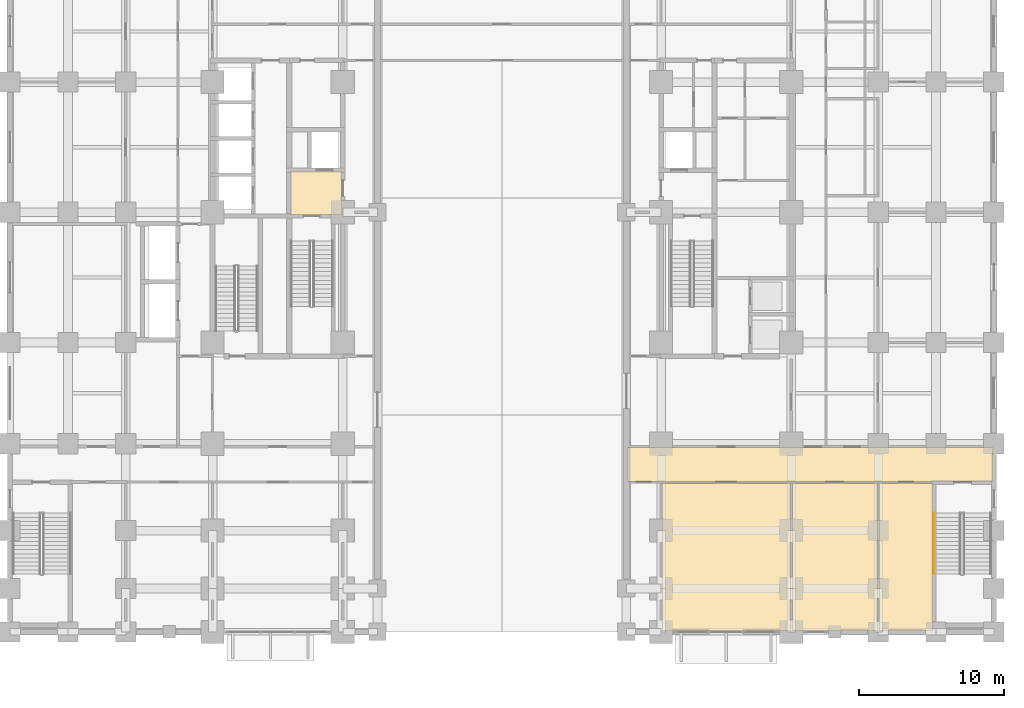
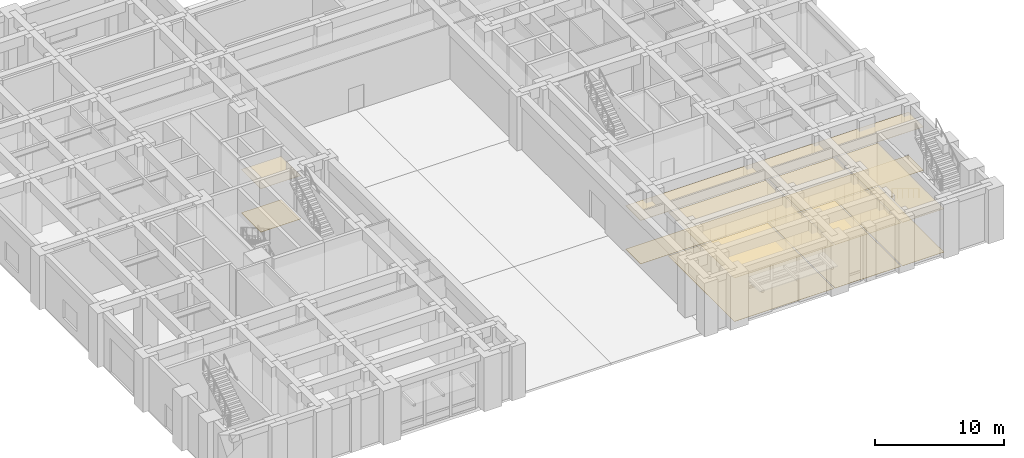
# One storey, part 15 of 20: 10 coverings, 1 railing.
"""IFC4 building model written with IfcOpenShell, lengths in metres."""

from ifc_helpers import new_model, si_unit, direction, frame, origin, origin_2d, place, context, subcontext, project, spatial, polyline, rectangle, outline, extrude, material, layer, layer_set, type_object, element, save


model = new_model("IFC4")

# Units and contexts
model_context = context("Model", 3, precision=1e-05, world=origin(), true_north=direction((0.0, 1.0)))
body_context = subcontext(model_context, "Body", "Model", "MODEL_VIEW")
ifc_project = project(units=[si_unit("LENGTHUNIT", "METRE"), si_unit("AREAUNIT", "SQUARE_METRE"), si_unit("VOLUMEUNIT", "CUBIC_METRE"), si_unit("PLANEANGLEUNIT", "RADIAN"), si_unit("MASSUNIT", "GRAM", prefix="KILO")], contexts=[model_context])

# Site, building, storey
site_placement = place(None, origin())
site = spatial("IfcSite", under=ifc_project, at=site_placement, CompositionType="ELEMENT")
building_placement = place(site_placement, origin())
building = spatial("IfcBuilding", under=site, at=building_placement, Name="Zulmaris Gate Convention Tower", CompositionType="ELEMENT")
storey_placement = place(building_placement, origin())
storey = spatial("IfcBuildingStorey", under=building, at=storey_placement, Name="L00", CompositionType="ELEMENT", Elevation=0.0)

# Coverings
ifc_material_1 = material(Name="Mineral Fibre Acoustic Ceiling Tile")
ifc_layer_1 = layer(ifc_material_1, 0.02001953125, Name="Mineral Fibre Acoustic Ceiling Tile")
ifc_layer_set_1 = layer_set([ifc_layer_1], Name="Mineral Fibre Acoustic Ceiling Tile")
covering_type_1 = type_object("IfcCoveringType", Name="CLG-ACOUSTIC-600", PredefinedType="CEILING", material=ifc_layer_set_1)
covering_1_placement = place(storey_placement, frame((0.0, 0.0, 4.099853515625)))
element("IfcCovering", 1, at=covering_1_placement, inside=storey, type_object=covering_type_1, Name="CLG-L00-R03", PredefinedType="CEILING", context=body_context, shape_type="SweptSolid", body=[
    extrude(outline(polyline([(-14.639892578125, -0.18994140625), (-11.06005859375, -0.18994140625), (-11.06005859375, 2.840087890625), (-14.639892578125, 2.840087890625), (-14.639892578125, -0.18994140625)])), origin(), (0.0, 0.0, 1.0), 0.02001953125),
])
covering_2_placement = place(storey_placement, frame((0.0, 0.0, 4.099853515625)))
element("IfcCovering", 2, at=covering_2_placement, inside=storey, type_object=covering_type_1, Name="CLG-L00-R49", PredefinedType="CEILING", context=body_context, shape_type="SweptSolid", body=[
    extrude(outline(polyline([(8.659912109375, -18.590087890625), (33.93994140625, -18.590087890625), (33.93994140625, -16.260009765625), (8.659912109375, -16.260009765625), (8.659912109375, -18.590087890625)])), origin(), (0.0, 0.0, 1.0), 0.02001953125),
])
covering_3_placement = place(storey_placement, frame((0.0, 0.0, 4.099853515625)))
element("IfcCovering", 3, at=covering_3_placement, inside=storey, type_object=covering_type_1, Name="CLG-L00-R68", PredefinedType="CEILING", context=body_context, shape_type="SweptSolid", body=[
    extrude(outline(polyline([(11.06005859375, -28.93994140625), (19.93994140625, -28.93994140625), (19.93994140625, -18.7099609375), (11.06005859375, -18.7099609375), (11.06005859375, -28.93994140625)])), origin(), (0.0, 0.0, 1.0), 0.02001953125),
])
covering_4_placement = place(storey_placement, frame((0.0, 0.0, 4.099853515625)))
element("IfcCovering", 4, at=covering_4_placement, inside=storey, type_object=covering_type_1, Name="CLG-L00-R69", PredefinedType="CEILING", context=body_context, shape_type="SweptSolid", body=[
    extrude(outline(polyline([(20.06005859375, -28.93994140625), (25.93994140625, -28.93994140625), (25.93994140625, -18.7099609375), (20.06005859375, -18.7099609375), (20.06005859375, -28.93994140625)])), origin(), (0.0, 0.0, 1.0), 0.02001953125),
])
covering_5_placement = place(storey_placement, frame((0.0, 0.0, 4.099853515625)))
element("IfcCovering", 5, at=covering_5_placement, inside=storey, type_object=covering_type_1, Name="CLG-L00-R70", PredefinedType="CEILING", context=body_context, shape_type="SweptSolid", body=[
    extrude(outline(polyline([(26.06005859375, -28.93994140625), (29.7900390625, -28.93994140625), (29.7900390625, -18.7099609375), (26.06005859375, -18.7099609375), (26.06005859375, -28.93994140625)])), origin(), (0.0, 0.0, 1.0), 0.02001953125),
])
ifc_material_2 = material(Name="Woven Acoustic Wool Carpet Tile")
ifc_layer_2 = layer(ifc_material_2, 0.02001953125, Name="Woven Acoustic Wool Carpet Tile")
ifc_layer_set_2 = layer_set([ifc_layer_2], Name="Woven Acoustic Wool Carpet Tile")
covering_type_2 = type_object("IfcCoveringType", Name="FLR-CARPET-12", PredefinedType="FLOORING", material=ifc_layer_set_2)
covering_6_placement = place(storey_placement, origin())
element("IfcCovering", 6, at=covering_6_placement, inside=storey, type_object=covering_type_2, Name="FLR-L00-R03", PredefinedType="FLOORING", context=body_context, shape_type="SweptSolid", body=[
    extrude(outline(polyline([(-14.639892578125, -0.18994140625), (-11.06005859375, -0.18994140625), (-11.06005859375, 2.840087890625), (-14.639892578125, 2.840087890625), (-14.639892578125, -0.18994140625)])), origin(), (0.0, 0.0, 1.0), 0.02001953125),
])
covering_7_placement = place(storey_placement, origin())
element("IfcCovering", 7, at=covering_7_placement, inside=storey, type_object=covering_type_2, Name="FLR-L00-R49", PredefinedType="FLOORING", context=body_context, shape_type="SweptSolid", body=[
    extrude(outline(polyline([(8.659912109375, -18.590087890625), (33.93994140625, -18.590087890625), (33.93994140625, -16.260009765625), (8.659912109375, -16.260009765625), (8.659912109375, -18.590087890625)])), origin(), (0.0, 0.0, 1.0), 0.02001953125),
])
covering_8_placement = place(storey_placement, origin())
element("IfcCovering", 8, at=covering_8_placement, inside=storey, type_object=covering_type_2, Name="FLR-L00-R70", PredefinedType="FLOORING", context=body_context, shape_type="SweptSolid", body=[
    extrude(outline(polyline([(26.06005859375, -28.93994140625), (29.7900390625, -28.93994140625), (29.7900390625, -18.7099609375), (26.06005859375, -18.7099609375), (26.06005859375, -28.93994140625)])), origin(), (0.0, 0.0, 1.0), 0.02001953125),
])
ifc_material_3 = material(Name="Polished Granite Terrazzo Tile", Category="masonry")
ifc_layer_3 = layer(ifc_material_3, 0.02001953125, Name="Polished Granite Terrazzo Tile")
ifc_layer_set_3 = layer_set([ifc_layer_3], Name="Polished Granite Terrazzo Tile")
covering_type_3 = type_object("IfcCoveringType", Name="FLR-TERRAZZO-30", PredefinedType="FLOORING", material=ifc_layer_set_3)
covering_9_placement = place(storey_placement, origin())
element("IfcCovering", 9, at=covering_9_placement, inside=storey, type_object=covering_type_3, Name="FLR-L00-R68", PredefinedType="FLOORING", context=body_context, shape_type="SweptSolid", body=[
    extrude(outline(polyline([(11.06005859375, -28.93994140625), (19.93994140625, -28.93994140625), (19.93994140625, -18.7099609375), (11.06005859375, -18.7099609375), (11.06005859375, -28.93994140625)])), origin(), (0.0, 0.0, 1.0), 0.02001953125),
])
covering_10_placement = place(storey_placement, origin())
element("IfcCovering", 10, at=covering_10_placement, inside=storey, type_object=covering_type_3, Name="FLR-L00-R69", PredefinedType="FLOORING", context=body_context, shape_type="SweptSolid", body=[
    extrude(outline(polyline([(20.06005859375, -28.93994140625), (25.93994140625, -28.93994140625), (25.93994140625, -18.7099609375), (20.06005859375, -18.7099609375), (20.06005859375, -28.93994140625)])), origin(), (0.0, 0.0, 1.0), 0.02001953125),
])

# Railing
ifc_material_4 = material(Name="Brushed Stainless Steel", Category="steel")
railing_type = type_object("IfcRailingType", Name="RL-STH-900", PredefinedType="HANDRAIL", material=ifc_material_4)
railing_placement = place(storey_placement, frame((29.830078125, -20.800048828125, 0.169921875)))
element("IfcRailing", 11, at=railing_placement, inside=storey, type_object=railing_type, Name="L00 ST-6 stair handrail 1", PredefinedType="HANDRAIL", context=body_context, shape_type="SweptSolid", body=[
    extrude(rectangle(XDim=0.048095703125, YDim=0.048095703125, at=origin_2d()), frame((0.0, 0.0, 0.8759765625), z_axis=(0.0, -0.854780430106, 0.518989803665), x_axis=(1.0, 0.0, 0.0)), (0.0, 0.0, 1.0), 4.91357421875),
    extrude(rectangle(XDim=0.0419921875, YDim=0.0419921875, at=origin_2d()), origin(), (0.0, 0.0, 1.0), 0.851806640625),
    extrude(rectangle(XDim=0.0419921875, YDim=0.0419921875, at=origin_2d()), frame((0.0, -0.840087890625, 0.510009765625)), (0.0, 0.0, 1.0), 0.851806640625),
    extrude(rectangle(XDim=0.0419921875, YDim=0.0419921875, at=origin_2d()), frame((0.0, -1.679931640625, 1.02001953125)), (0.0, 0.0, 1.0), 0.851806640625),
    extrude(rectangle(XDim=0.0419921875, YDim=0.0419921875, at=origin_2d()), frame((0.0, -2.52001953125, 1.530029296875)), (0.0, 0.0, 1.0), 0.851806640625),
    extrude(rectangle(XDim=0.0419921875, YDim=0.0419921875, at=origin_2d()), frame((0.0, -3.35986328125, 2.0400390625)), (0.0, 0.0, 1.0), 0.851806640625),
    extrude(rectangle(XDim=0.0419921875, YDim=0.0419921875, at=origin_2d()), frame((0.0, -4.199951171875, 2.550048828125)), (0.0, 0.0, 1.0), 0.851806640625),
])

save(model, "model.ifc")
